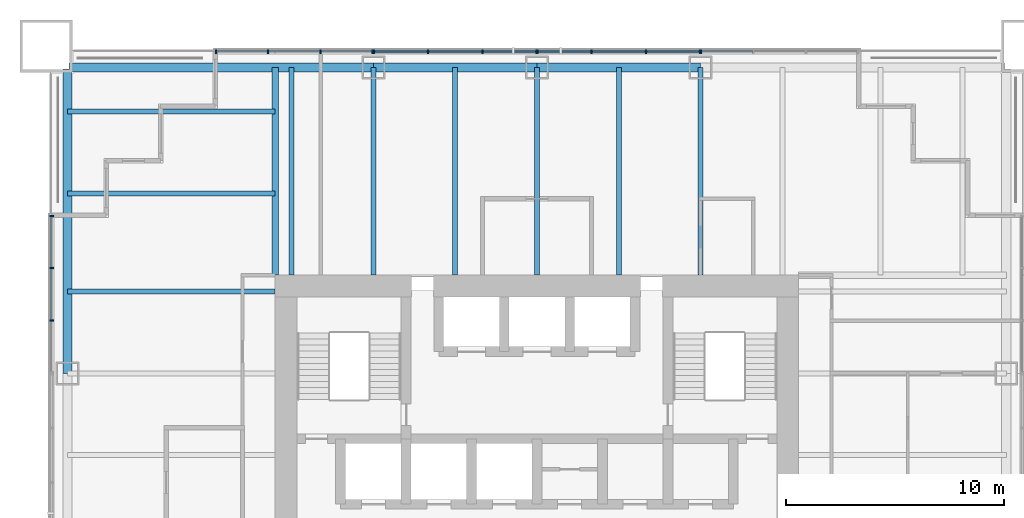
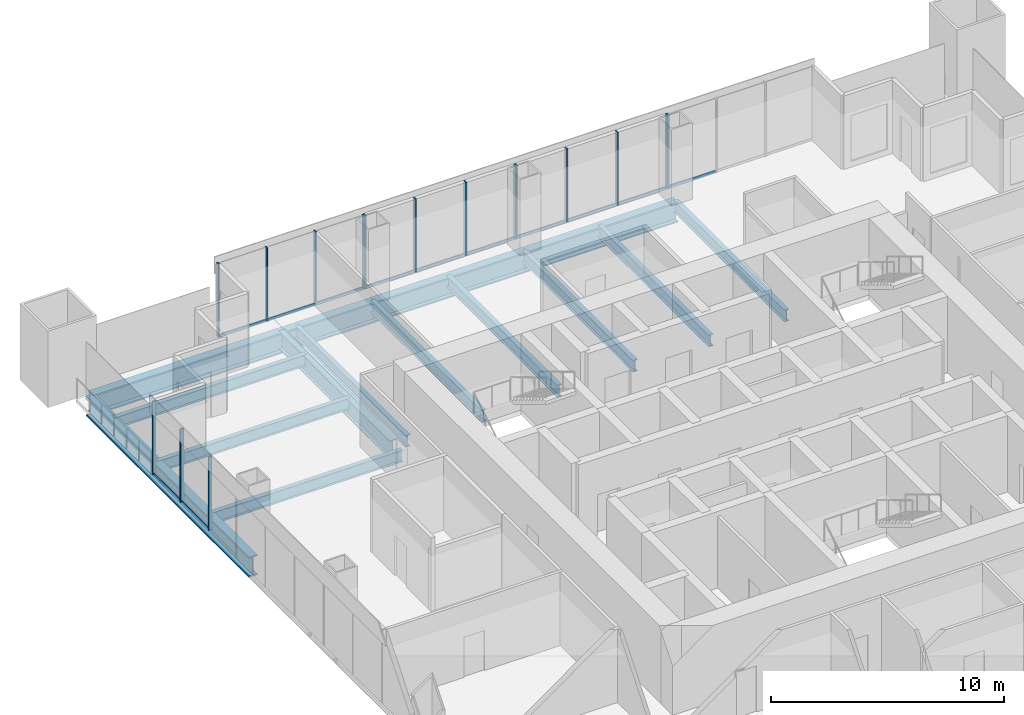
# One storey, part 5 of 13: 28 members, 14 beams, 5 elements without a shape of their own.
"""IFC4 building model written with IfcOpenShell, lengths in metres."""

from ifc_helpers import new_model, si_unit, direction, frame, origin, origin_2d, place, context, subcontext, project, spatial, rectangle, i_section, extrude, material, material_profile, profile_set, type_object, element, aggregate, save


model = new_model("IFC4")

# Units and contexts
model_context = context("Model", 3, precision=1e-05, world=origin(), true_north=direction((0.0, 1.0)))
body_context = subcontext(model_context, "Body", "Model", "MODEL_VIEW")
ifc_project = project(units=[si_unit("LENGTHUNIT", "METRE"), si_unit("AREAUNIT", "SQUARE_METRE"), si_unit("VOLUMEUNIT", "CUBIC_METRE"), si_unit("PLANEANGLEUNIT", "RADIAN"), si_unit("MASSUNIT", "GRAM", prefix="KILO")], contexts=[model_context])

# Site, building, storey
site_placement = place(None, origin())
site = spatial("IfcSite", under=ifc_project, at=site_placement, CompositionType="ELEMENT")
building_placement = place(site_placement, origin())
building = spatial("IfcBuilding", under=site, at=building_placement, Name="Tarangal Relay Tower", CompositionType="ELEMENT")
storey_placement = place(building_placement, frame((0.0, 0.0, 197.89990234375)))
storey = spatial("IfcBuildingStorey", under=building, at=storey_placement, Name="L41", CompositionType="ELEMENT", Elevation=197.89990234375)

# Beams
ifc_material_1 = material(Name="Steel ASTM A992", Category="steel")
ifc_material_profile_1 = material_profile(ifc_material_1, i_section(OverallWidth=0.227783203125, OverallDepth=0.60205078125, WebThickness=0.010498046875, FlangeThickness=0.014892578125, at=origin_2d()), Name="W24X68")
ifc_profile_set_1 = profile_set([ifc_material_profile_1], Name="Steel ASTM A992")
beam_type_1 = type_object("IfcBeamType", Name="Corner beam W24X68", PredefinedType="JOIST", material=ifc_profile_set_1)
for number, where, z_axis, x_axis, name in (
    (1, (-12.0, 15.75, -0.450927734375), (-1.0, 0.0, 0.0), (0.0, -1.0, 0.0), "Corner beam CB11 W L41"),
    (2, (-12.0, 19.5, -0.450927734375), (-1.0, 0.0, 0.0), (0.0, -1.0, 0.0), "Corner beam CB11 W L41"),
):
    element("IfcBeam", number, at=place(storey_placement, frame(where, z_axis=z_axis, x_axis=x_axis)), inside=storey, type_object=beam_type_1, Name=name, PredefinedType="JOIST", context=body_context, shape_type="SweptSolid", body=[
        extrude(i_section(OverallWidth=0.227783203125, OverallDepth=0.60205078125, WebThickness=0.010498046875, FlangeThickness=0.014892578125, at=origin_2d()), origin(), (0.0, 0.0, 1.0), 9.514892578125),
    ])
ifc_material_profile_2 = material_profile(ifc_material_1, i_section(OverallWidth=0.307373046875, OverallDepth=0.9423828125, WebThickness=0.022216796875, FlangeThickness=0.039794921875, at=origin_2d()), Name="W36X232")
ifc_profile_set_2 = profile_set([ifc_material_profile_2], Name="Steel ASTM A992")
beam_type_2 = type_object("IfcBeamType", Name="Corner girder W36X232", PredefinedType="BEAM", material=ifc_profile_set_2)
beam_1_placement = place(storey_placement, frame((-12.0, 12.0, -0.62109375), z_axis=(0.0, 1.0, 0.0), x_axis=(-1.0, 0.0, 0.0)))
element("IfcBeam", 3, at=beam_1_placement, inside=storey, type_object=beam_type_2, Name="Corner girder CG4 W L41", PredefinedType="BEAM", context=body_context, shape_type="SweptSolid", body=[
    extrude(i_section(OverallWidth=0.307373046875, OverallDepth=0.9423828125, WebThickness=0.022216796875, FlangeThickness=0.039794921875, at=origin_2d()), origin(), (0.0, 0.0, 1.0), 9.514892578125),
])
ifc_material_profile_3 = material_profile(ifc_material_1, i_section(OverallWidth=0.41650390625, OverallDepth=1.0693359375, WebThickness=0.0390625, FlangeThickness=0.070068359375, at=origin_2d()), Name="W40X503")
ifc_profile_set_3 = profile_set([ifc_material_profile_3], Name="Steel ASTM A992")
beam_type_3 = type_object("IfcBeamType", Name="Edge girder W40X503", PredefinedType="SPANDREL", material=ifc_profile_set_3)
beam_2_placement = place(storey_placement, frame((-21.449951171875, 21.514892578125, -0.6845703125), z_axis=(1.0, 0.0, 0.0), x_axis=(0.0, 1.0, 0.0)))
element("IfcBeam", 4, at=beam_2_placement, inside=storey, type_object=beam_type_3, Name="Edge girder EG8 N L41", PredefinedType="SPANDREL", context=body_context, shape_type="SweptSolid", body=[
    extrude(i_section(OverallWidth=0.41650390625, OverallDepth=1.0693359375, WebThickness=0.0390625, FlangeThickness=0.070068359375, at=origin_2d()), origin(), (0.0, 0.0, 1.0), 13.949951171875),
])
for number, where, z_axis, x_axis, name in (
    (5, (-7.5, 21.514892578125, -0.6845703125), (1.0, 0.0, 0.0), (0.0, 1.0, 0.0), "Edge girder EG8 N L41"),
    (6, (0.0, 21.514892578125, -0.6845703125), (1.0, 0.0, 0.0), (0.0, 1.0, 0.0), "Edge girder EG8 N L41"),
):
    element("IfcBeam", number, at=place(storey_placement, frame(where, z_axis=z_axis, x_axis=x_axis)), inside=storey, type_object=beam_type_3, Name=name, PredefinedType="SPANDREL", context=body_context, shape_type="SweptSolid", body=[
        extrude(i_section(OverallWidth=0.41650390625, OverallDepth=1.0693359375, WebThickness=0.0390625, FlangeThickness=0.070068359375, at=origin_2d()), origin(), (0.0, 0.0, 1.0), 7.5),
    ])
beam_3_placement = place(storey_placement, frame((-21.514892578125, 7.5, -0.6845703125), z_axis=(0.0, 1.0, 0.0), x_axis=(-1.0, 0.0, 0.0)))
element("IfcBeam", 7, at=beam_3_placement, inside=storey, type_object=beam_type_3, Name="Edge girder EG8 W L41", PredefinedType="SPANDREL", context=body_context, shape_type="SweptSolid", body=[
    extrude(i_section(OverallWidth=0.41650390625, OverallDepth=1.0693359375, WebThickness=0.0390625, FlangeThickness=0.070068359375, at=origin_2d()), origin(), (0.0, 0.0, 1.0), 13.949951171875),
])
ifc_material_profile_4 = material_profile(ifc_material_1, i_section(OverallWidth=0.22900390625, OverallDepth=0.612060546875, WebThickness=0.011962890625, FlangeThickness=0.01953125, at=origin_2d()), Name="W24X84")
ifc_profile_set_4 = profile_set([ifc_material_profile_4], Name="Steel ASTM A992")
beam_type_4 = type_object("IfcBeamType", Name="Floor beam W24X84", PredefinedType="BEAM", material=ifc_profile_set_4)
for number, where, z_axis, x_axis, name in (
    (8, (-11.25, 12.0, -0.455810546875), (0.0, 1.0, 0.0), (-1.0, 0.0, 0.0), "Floor beam RB12 N L41"),
    (9, (-7.5, 12.0, -0.455810546875), (0.0, 1.0, 0.0), (-1.0, 0.0, 0.0), "Floor beam RB12 N L41"),
    (10, (-3.75, 12.0, -0.455810546875), (0.0, 1.0, 0.0), (-1.0, 0.0, 0.0), "Floor beam RB12 N L41"),
    (11, (0.0, 12.0, -0.455810546875), (0.0, 1.0, 0.0), (-1.0, 0.0, 0.0), "Floor beam RB12 N L41"),
    (12, (3.75, 12.0, -0.455810546875), (0.0, 1.0, 0.0), (-1.0, 0.0, 0.0), "Floor beam RB12 N L41"),
    (13, (7.5, 12.0, -0.455810546875), (0.0, 1.0, 0.0), (-1.0, 0.0, 0.0), "Floor beam RB12 N L41"),
    (14, (-12.0, 11.25, -0.455810546875), (-1.0, 0.0, 0.0), (0.0, -1.0, 0.0), "Floor beam RB12 W L41"),
):
    element("IfcBeam", number, at=place(storey_placement, frame(where, z_axis=z_axis, x_axis=x_axis)), inside=storey, type_object=beam_type_4, Name=name, PredefinedType="BEAM", context=body_context, shape_type="SweptSolid", body=[
        extrude(i_section(OverallWidth=0.22900390625, OverallDepth=0.612060546875, WebThickness=0.011962890625, FlangeThickness=0.01953125, at=origin_2d()), origin(), (0.0, 0.0, 1.0), 9.514892578125),
    ])

# Curtain wall, members
ifc_material_2 = material(Name="Unitised curtain wall, dark glass and black aluminium", Category="aluminium")
curtain_wall_type_1 = type_object("IfcCurtainWallType", Name="Curtain wall CW-A", PredefinedType="USERDEFINED", material=ifc_material_2)
curtain_wall_1_placement = place(storey_placement, origin())
curtain_wall_1 = element("IfcCurtainWall", 15, at=curtain_wall_1_placement, inside=storey, type_object=curtain_wall_type_1, Name="Curtain wall CW-A N facade L41", ObjectType="UNITISED CURTAIN WALL", PredefinedType="USERDEFINED")
ifc_material_3 = material(Name="Black anodised aluminium mullion", Category="aluminium")
ifc_material_profile_5 = material_profile(ifc_material_3, rectangle(XDim=0.175048828125, YDim=0.06494140625, at=origin_2d()), Name="CW-AM 65X175")
ifc_profile_set_5 = profile_set([ifc_material_profile_5], Name="Black anodised aluminium mullion")
member_type_1 = type_object("IfcMemberType", Name="Mullion CW-A 65 x 175", PredefinedType="MULLION", material=ifc_profile_set_5)
member_1_placement = place(storey_placement, frame((-14.717529296875, 22.25, 0.0), z_axis=(0.0, 0.0, 1.0), x_axis=(0.0, 1.0, 0.0)))
member_1 = element("IfcMember", 16, at=member_1_placement, type_object=member_type_1, Name="CW-A mullion 1", PredefinedType="MULLION", context=body_context, shape_type="SweptSolid", body=[
    extrude(rectangle(XDim=0.175048828125, YDim=0.06494140625, at=origin_2d()), origin(), (0.0, 0.0, 1.0), 3.85009765625),
])
member_2_placement = place(storey_placement, frame((-12.333251953125, 22.25, 0.0), z_axis=(0.0, 0.0, 1.0), x_axis=(0.0, 1.0, 0.0)))
member_2 = element("IfcMember", 17, at=member_2_placement, type_object=member_type_1, Name="CW-A mullion 2", PredefinedType="MULLION", context=body_context, shape_type="SweptSolid", body=[
    extrude(rectangle(XDim=0.175048828125, YDim=0.06494140625, at=origin_2d()), origin(), (0.0, 0.0, 1.0), 3.85009765625),
])
member_3_placement = place(storey_placement, frame((-9.916748046875, 22.25, 0.0), z_axis=(0.0, 0.0, 1.0), x_axis=(0.0, 1.0, 0.0)))
member_3 = element("IfcMember", 18, at=member_3_placement, type_object=member_type_1, Name="CW-A mullion 3", PredefinedType="MULLION", context=body_context, shape_type="SweptSolid", body=[
    extrude(rectangle(XDim=0.175048828125, YDim=0.06494140625, at=origin_2d()), origin(), (0.0, 0.0, 1.0), 3.85009765625),
])
member_4_placement = place(storey_placement, frame((-7.532470703125, 22.25, 0.0), z_axis=(0.0, 0.0, 1.0), x_axis=(0.0, 1.0, 0.0)))
member_4 = element("IfcMember", 19, at=member_4_placement, type_object=member_type_1, Name="CW-A mullion 4", PredefinedType="MULLION", context=body_context, shape_type="SweptSolid", body=[
    extrude(rectangle(XDim=0.175048828125, YDim=0.06494140625, at=origin_2d()), origin(), (0.0, 0.0, 1.0), 3.85009765625),
])

# Curtain wall, member
curtain_wall_2_placement = place(storey_placement, origin())
curtain_wall_2 = element("IfcCurtainWall", 20, at=curtain_wall_2_placement, inside=storey, type_object=curtain_wall_type_1, Name="Curtain wall CW-A N facade L41", ObjectType="UNITISED CURTAIN WALL", PredefinedType="USERDEFINED")
member_5_placement = place(storey_placement, frame((7.532470703125, 22.25, 0.0), z_axis=(0.0, 0.0, 1.0), x_axis=(0.0, 1.0, 0.0)))
member_5 = element("IfcMember", 21, at=member_5_placement, type_object=member_type_1, Name="CW-A mullion 1", PredefinedType="MULLION", context=body_context, shape_type="SweptSolid", body=[
    extrude(rectangle(XDim=0.175048828125, YDim=0.06494140625, at=origin_2d()), origin(), (0.0, 0.0, 1.0), 3.85009765625),
])

# Curtain wall, members
curtain_wall_3_placement = place(storey_placement, origin())
curtain_wall_3 = element("IfcCurtainWall", 22, at=curtain_wall_3_placement, inside=storey, type_object=curtain_wall_type_1, Name="Curtain wall CW-A W facade L41", ObjectType="UNITISED CURTAIN WALL", PredefinedType="USERDEFINED")
member_6_placement = place(storey_placement, frame((-22.25, 9.916748046875, 0.0), z_axis=(0.0, 0.0, 1.0), x_axis=(-1.0, 0.0, 0.0)))
member_6 = element("IfcMember", 23, at=member_6_placement, type_object=member_type_1, Name="CW-A mullion 2", PredefinedType="MULLION", context=body_context, shape_type="SweptSolid", body=[
    extrude(rectangle(XDim=0.175048828125, YDim=0.06494140625, at=origin_2d()), origin(), (0.0, 0.0, 1.0), 3.85009765625),
])
member_7_placement = place(storey_placement, frame((-22.25, 12.333251953125, 0.0), z_axis=(0.0, 0.0, 1.0), x_axis=(-1.0, 0.0, 0.0)))
member_7 = element("IfcMember", 24, at=member_7_placement, type_object=member_type_1, Name="CW-A mullion 3", PredefinedType="MULLION", context=body_context, shape_type="SweptSolid", body=[
    extrude(rectangle(XDim=0.175048828125, YDim=0.06494140625, at=origin_2d()), origin(), (0.0, 0.0, 1.0), 3.85009765625),
])
member_8_placement = place(storey_placement, frame((-22.25, 14.717529296875, 0.0), z_axis=(0.0, 0.0, 1.0), x_axis=(-1.0, 0.0, 0.0)))
member_8 = element("IfcMember", 25, at=member_8_placement, type_object=member_type_1, Name="CW-A mullion 4", PredefinedType="MULLION", context=body_context, shape_type="SweptSolid", body=[
    extrude(rectangle(XDim=0.175048828125, YDim=0.06494140625, at=origin_2d()), origin(), (0.0, 0.0, 1.0), 3.85009765625),
])

ifc_material_4 = material(Name="Unitised curtain wall frame, black aluminium, with metal clad infill walls", Category="aluminium")
curtain_wall_type_2 = type_object("IfcCurtainWallType", Name="Curtain wall CW-AO", PredefinedType="USERDEFINED", material=ifc_material_4)
curtain_wall_4_placement = place(storey_placement, origin())
curtain_wall_4 = element("IfcCurtainWall", 26, at=curtain_wall_4_placement, inside=storey, type_object=curtain_wall_type_2, Name="Curtain wall CW-AO N facade L41", ObjectType="UNITISED CURTAIN WALL", PredefinedType="USERDEFINED")
ifc_material_profile_6 = material_profile(ifc_material_3, rectangle(XDim=0.175048828125, YDim=0.06494140625, at=origin_2d()), Name="CW-AOM 65X175")
ifc_profile_set_6 = profile_set([ifc_material_profile_6], Name="Black anodised aluminium mullion")
member_type_2 = type_object("IfcMemberType", Name="Mullion CW-AO 65 x 175", PredefinedType="MULLION", material=ifc_profile_set_6)
member_9_placement = place(storey_placement, frame((-7.467529296875, 22.25, 0.0), z_axis=(0.0, 0.0, 1.0), x_axis=(0.0, 1.0, 0.0)))
member_9 = element("IfcMember", 27, at=member_9_placement, type_object=member_type_2, Name="CW-AO mullion 1", PredefinedType="MULLION", context=body_context, shape_type="SweptSolid", body=[
    extrude(rectangle(XDim=0.175048828125, YDim=0.06494140625, at=origin_2d()), origin(), (0.0, 0.0, 1.0), 3.85009765625),
])
member_10_placement = place(storey_placement, frame((-5.0, 22.25, 0.0), z_axis=(0.0, 0.0, 1.0), x_axis=(0.0, 1.0, 0.0)))
member_10 = element("IfcMember", 28, at=member_10_placement, type_object=member_type_2, Name="CW-AO mullion 2", PredefinedType="MULLION", context=body_context, shape_type="SweptSolid", body=[
    extrude(rectangle(XDim=0.175048828125, YDim=0.06494140625, at=origin_2d()), origin(), (0.0, 0.0, 1.0), 3.85009765625),
])
member_11_placement = place(storey_placement, frame((-2.5, 22.25, 0.0), z_axis=(0.0, 0.0, 1.0), x_axis=(0.0, 1.0, 0.0)))
member_11 = element("IfcMember", 29, at=member_11_placement, type_object=member_type_2, Name="CW-AO mullion 3", PredefinedType="MULLION", context=body_context, shape_type="SweptSolid", body=[
    extrude(rectangle(XDim=0.175048828125, YDim=0.06494140625, at=origin_2d()), origin(), (0.0, 0.0, 1.0), 3.85009765625),
])
member_12_placement = place(storey_placement, frame((-0.032470703125, 22.25, 0.0), z_axis=(0.0, 0.0, 1.0), x_axis=(0.0, 1.0, 0.0)))
member_12 = element("IfcMember", 30, at=member_12_placement, type_object=member_type_2, Name="CW-AO mullion 4", PredefinedType="MULLION", context=body_context, shape_type="SweptSolid", body=[
    extrude(rectangle(XDim=0.175048828125, YDim=0.06494140625, at=origin_2d()), origin(), (0.0, 0.0, 1.0), 3.85009765625),
])

curtain_wall_5_placement = place(storey_placement, origin())
curtain_wall_5 = element("IfcCurtainWall", 31, at=curtain_wall_5_placement, inside=storey, type_object=curtain_wall_type_2, Name="Curtain wall CW-AO N facade L41", ObjectType="UNITISED CURTAIN WALL", PredefinedType="USERDEFINED")
member_13_placement = place(storey_placement, frame((0.032470703125, 22.25, 0.0), z_axis=(0.0, 0.0, 1.0), x_axis=(0.0, 1.0, 0.0)))
member_13 = element("IfcMember", 32, at=member_13_placement, type_object=member_type_2, Name="CW-AO mullion 1", PredefinedType="MULLION", context=body_context, shape_type="SweptSolid", body=[
    extrude(rectangle(XDim=0.175048828125, YDim=0.06494140625, at=origin_2d()), origin(), (0.0, 0.0, 1.0), 3.85009765625),
])
member_14_placement = place(storey_placement, frame((2.5, 22.25, 0.0), z_axis=(0.0, 0.0, 1.0), x_axis=(0.0, 1.0, 0.0)))
member_14 = element("IfcMember", 33, at=member_14_placement, type_object=member_type_2, Name="CW-AO mullion 2", PredefinedType="MULLION", context=body_context, shape_type="SweptSolid", body=[
    extrude(rectangle(XDim=0.175048828125, YDim=0.06494140625, at=origin_2d()), origin(), (0.0, 0.0, 1.0), 3.85009765625),
])
member_15_placement = place(storey_placement, frame((5.0, 22.25, 0.0), z_axis=(0.0, 0.0, 1.0), x_axis=(0.0, 1.0, 0.0)))
member_15 = element("IfcMember", 34, at=member_15_placement, type_object=member_type_2, Name="CW-AO mullion 3", PredefinedType="MULLION", context=body_context, shape_type="SweptSolid", body=[
    extrude(rectangle(XDim=0.175048828125, YDim=0.06494140625, at=origin_2d()), origin(), (0.0, 0.0, 1.0), 3.85009765625),
])
member_16_placement = place(storey_placement, frame((7.467529296875, 22.25, 0.0), z_axis=(0.0, 0.0, 1.0), x_axis=(0.0, 1.0, 0.0)))
member_16 = element("IfcMember", 35, at=member_16_placement, type_object=member_type_2, Name="CW-AO mullion 4", PredefinedType="MULLION", context=body_context, shape_type="SweptSolid", body=[
    extrude(rectangle(XDim=0.175048828125, YDim=0.06494140625, at=origin_2d()), origin(), (0.0, 0.0, 1.0), 3.85009765625),
])

# Member
ifc_material_5 = material(Name="Black anodised aluminium transom", Category="aluminium")
ifc_material_profile_7 = material_profile(ifc_material_5, rectangle(XDim=0.06494140625, YDim=0.14990234375, at=origin_2d()), Name="CW-AT 65X150")
ifc_profile_set_7 = profile_set([ifc_material_profile_7], Name="Black anodised aluminium transom")
member_type_3 = type_object("IfcMemberType", Name="Transom CW-A 65 x 150", PredefinedType="USERDEFINED", material=ifc_profile_set_7)
member_17_placement = place(storey_placement, frame((-14.68505859375, 22.25, 0.03271484375), z_axis=(1.0, 0.0, 0.0), x_axis=(0.0, 1.0, 0.0)))
member_17 = element("IfcMember", 36, at=member_17_placement, type_object=member_type_3, Name="CW-A transom 1.1", ObjectType="TRANSOM", PredefinedType="USERDEFINED", context=body_context, shape_type="SweptSolid", body=[
    extrude(rectangle(XDim=0.06494140625, YDim=0.14990234375, at=origin_2d()), origin(), (0.0, 0.0, 1.0), 2.3193359375),
])

member_18_placement = place(storey_placement, frame((-12.30078125, 22.25, 0.03271484375), z_axis=(1.0, 0.0, 0.0), x_axis=(0.0, 1.0, 0.0)))
member_18 = element("IfcMember", 37, at=member_18_placement, type_object=member_type_3, Name="CW-A transom 2.1", ObjectType="TRANSOM", PredefinedType="USERDEFINED", context=body_context, shape_type="SweptSolid", body=[
    extrude(rectangle(XDim=0.06494140625, YDim=0.14990234375, at=origin_2d()), origin(), (0.0, 0.0, 1.0), 2.3515625),
])

member_19_placement = place(storey_placement, frame((-9.88427734375, 22.25, 0.03271484375), z_axis=(1.0, 0.0, 0.0), x_axis=(0.0, 1.0, 0.0)))
member_19 = element("IfcMember", 38, at=member_19_placement, type_object=member_type_3, Name="CW-A transom 3.1", ObjectType="TRANSOM", PredefinedType="USERDEFINED", context=body_context, shape_type="SweptSolid", body=[
    extrude(rectangle(XDim=0.06494140625, YDim=0.14990234375, at=origin_2d()), origin(), (0.0, 0.0, 1.0), 2.3193359375),
])

aggregate(curtain_wall_1, [member_1, member_2, member_3, member_4, member_17, member_18, member_19])

member_20_placement = place(storey_placement, frame((7.56494140625, 22.25, 0.03271484375), z_axis=(1.0, 0.0, 0.0), x_axis=(0.0, 1.0, 0.0)))
member_20 = element("IfcMember", 39, at=member_20_placement, type_object=member_type_3, Name="CW-A transom 1.1", ObjectType="TRANSOM", PredefinedType="USERDEFINED", context=body_context, shape_type="SweptSolid", body=[
    extrude(rectangle(XDim=0.06494140625, YDim=0.14990234375, at=origin_2d()), origin(), (0.0, 0.0, 1.0), 2.3193359375),
])

aggregate(curtain_wall_2, [member_5, member_20])

member_21_placement = place(storey_placement, frame((-22.25, 9.94921875, 0.03271484375), z_axis=(0.0, 1.0, 0.0), x_axis=(-1.0, 0.0, 0.0)))
member_21 = element("IfcMember", 40, at=member_21_placement, type_object=member_type_3, Name="CW-A transom 2.1", ObjectType="TRANSOM", PredefinedType="USERDEFINED", context=body_context, shape_type="SweptSolid", body=[
    extrude(rectangle(XDim=0.06494140625, YDim=0.14990234375, at=origin_2d()), origin(), (0.0, 0.0, 1.0), 2.3515625),
])

member_22_placement = place(storey_placement, frame((-22.25, 12.36572265625, 0.03271484375), z_axis=(0.0, 1.0, 0.0), x_axis=(-1.0, 0.0, 0.0)))
member_22 = element("IfcMember", 41, at=member_22_placement, type_object=member_type_3, Name="CW-A transom 3.1", ObjectType="TRANSOM", PredefinedType="USERDEFINED", context=body_context, shape_type="SweptSolid", body=[
    extrude(rectangle(XDim=0.06494140625, YDim=0.14990234375, at=origin_2d()), origin(), (0.0, 0.0, 1.0), 2.3193359375),
])

aggregate(curtain_wall_3, [member_6, member_7, member_8, member_21, member_22])

ifc_material_profile_8 = material_profile(ifc_material_5, rectangle(XDim=0.06494140625, YDim=0.14990234375, at=origin_2d()), Name="CW-AOT 65X150")
ifc_profile_set_8 = profile_set([ifc_material_profile_8], Name="Black anodised aluminium transom")
member_type_4 = type_object("IfcMemberType", Name="Transom CW-AO 65 x 150", PredefinedType="USERDEFINED", material=ifc_profile_set_8)
member_23_placement = place(storey_placement, frame((-7.43505859375, 22.25, 0.03271484375), z_axis=(1.0, 0.0, 0.0), x_axis=(0.0, 1.0, 0.0)))
member_23 = element("IfcMember", 42, at=member_23_placement, type_object=member_type_4, Name="CW-AO transom 1.1", ObjectType="TRANSOM", PredefinedType="USERDEFINED", context=body_context, shape_type="SweptSolid", body=[
    extrude(rectangle(XDim=0.06494140625, YDim=0.14990234375, at=origin_2d()), origin(), (0.0, 0.0, 1.0), 2.402587890625),
])

member_24_placement = place(storey_placement, frame((-4.967529296875, 22.25, 0.03271484375), z_axis=(1.0, 0.0, 0.0), x_axis=(0.0, 1.0, 0.0)))
member_24 = element("IfcMember", 43, at=member_24_placement, type_object=member_type_4, Name="CW-AO transom 2.1", ObjectType="TRANSOM", PredefinedType="USERDEFINED", context=body_context, shape_type="SweptSolid", body=[
    extrude(rectangle(XDim=0.06494140625, YDim=0.14990234375, at=origin_2d()), origin(), (0.0, 0.0, 1.0), 2.43505859375),
])

member_25_placement = place(storey_placement, frame((-2.467529296875, 22.25, 0.03271484375), z_axis=(1.0, 0.0, 0.0), x_axis=(0.0, 1.0, 0.0)))
member_25 = element("IfcMember", 44, at=member_25_placement, type_object=member_type_4, Name="CW-AO transom 3.1", ObjectType="TRANSOM", PredefinedType="USERDEFINED", context=body_context, shape_type="SweptSolid", body=[
    extrude(rectangle(XDim=0.06494140625, YDim=0.14990234375, at=origin_2d()), origin(), (0.0, 0.0, 1.0), 2.402587890625),
])

aggregate(curtain_wall_4, [member_9, member_10, member_11, member_12, member_23, member_24, member_25])

member_26_placement = place(storey_placement, frame((0.06494140625, 22.25, 0.03271484375), z_axis=(1.0, 0.0, 0.0), x_axis=(0.0, 1.0, 0.0)))
member_26 = element("IfcMember", 45, at=member_26_placement, type_object=member_type_4, Name="CW-AO transom 1.1", ObjectType="TRANSOM", PredefinedType="USERDEFINED", context=body_context, shape_type="SweptSolid", body=[
    extrude(rectangle(XDim=0.06494140625, YDim=0.14990234375, at=origin_2d()), origin(), (0.0, 0.0, 1.0), 2.402587890625),
])

member_27_placement = place(storey_placement, frame((2.532470703125, 22.25, 0.03271484375), z_axis=(1.0, 0.0, 0.0), x_axis=(0.0, 1.0, 0.0)))
member_27 = element("IfcMember", 46, at=member_27_placement, type_object=member_type_4, Name="CW-AO transom 2.1", ObjectType="TRANSOM", PredefinedType="USERDEFINED", context=body_context, shape_type="SweptSolid", body=[
    extrude(rectangle(XDim=0.06494140625, YDim=0.14990234375, at=origin_2d()), origin(), (0.0, 0.0, 1.0), 2.43505859375),
])

member_28_placement = place(storey_placement, frame((5.032470703125, 22.25, 0.03271484375), z_axis=(1.0, 0.0, 0.0), x_axis=(0.0, 1.0, 0.0)))
member_28 = element("IfcMember", 47, at=member_28_placement, type_object=member_type_4, Name="CW-AO transom 3.1", ObjectType="TRANSOM", PredefinedType="USERDEFINED", context=body_context, shape_type="SweptSolid", body=[
    extrude(rectangle(XDim=0.06494140625, YDim=0.14990234375, at=origin_2d()), origin(), (0.0, 0.0, 1.0), 2.402587890625),
])

aggregate(curtain_wall_5, [member_13, member_14, member_15, member_16, member_26, member_27, member_28])

save(model, "model.ifc")
